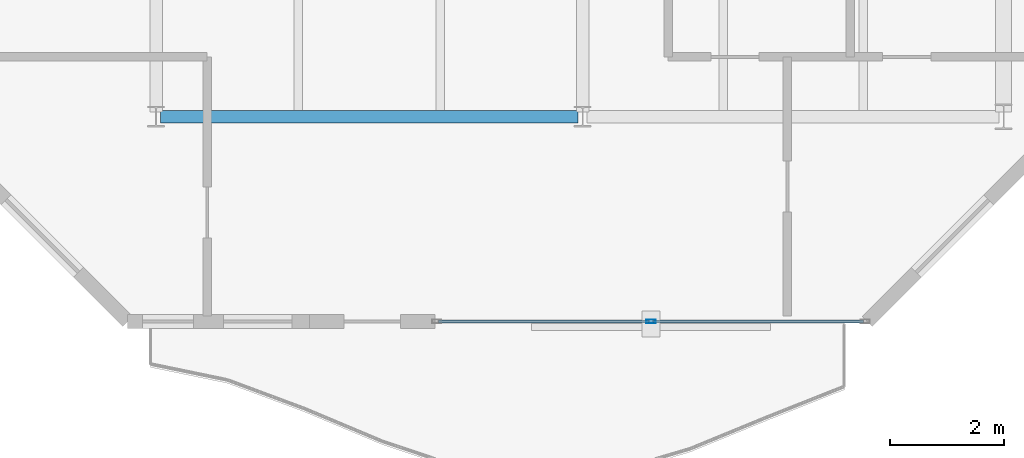
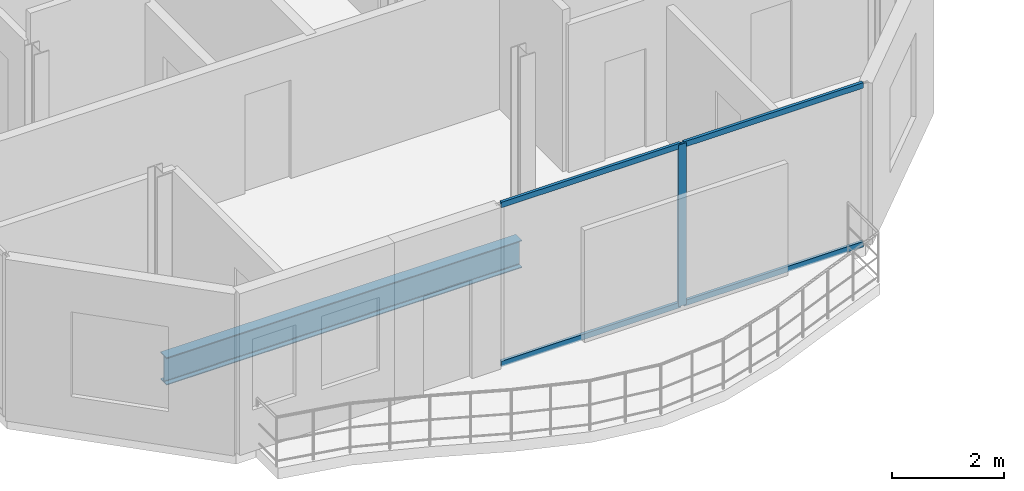
# One storey, part 4 of 22: 5 members, 1 beam, 1 element without a shape of its own.
"""IFC4 building model written with IfcOpenShell, lengths in metres."""

from ifc_helpers import new_model, si_unit, direction, frame, origin, origin_2d, place, context, subcontext, project, spatial, hollow_rectangle, i_section, extrude, material, layer, layer_set, material_profile, profile_set, type_object, element, aggregate, save


model = new_model("IFC4")

# Units and contexts
model_context = context("Model", 3, precision=1e-05, world=origin(), true_north=direction((0.0, 1.0)))
body_context = subcontext(model_context, "Body", "Model", "MODEL_VIEW")
ifc_project = project(units=[si_unit("LENGTHUNIT", "METRE"), si_unit("AREAUNIT", "SQUARE_METRE"), si_unit("VOLUMEUNIT", "CUBIC_METRE"), si_unit("PLANEANGLEUNIT", "RADIAN"), si_unit("MASSUNIT", "GRAM", prefix="KILO")], contexts=[model_context])

# Site, building, storey
site_placement = place(None, origin())
site = spatial("IfcSite", under=ifc_project, at=site_placement, CompositionType="ELEMENT")
building_placement = place(site_placement, origin())
building = spatial("IfcBuilding", under=site, at=building_placement, Name="Catumbela Crestline Tower", CompositionType="ELEMENT")
storey_placement = place(building_placement, frame((0.0, 0.0, 218.4)))
storey = spatial("IfcBuildingStorey", under=building, at=storey_placement, Name="L56", CompositionType="ELEMENT", Elevation=218.4)

# Beam
ifc_material_1 = material(Name="Structural steel S355J2", Category="steel")
ifc_material_profile_1 = material_profile(ifc_material_1, i_section(OverallWidth=0.22, OverallDepth=0.6, WebThickness=0.012, FlangeThickness=0.019, FilletRadius=0.024, at=origin_2d()), Name="IPE 600")
ifc_profile_set_1 = profile_set([ifc_material_profile_1], Name="Structural steel S355J2")
beam_type = type_object("IfcBeamType", Name="BG-IPE600", PredefinedType="BEAM", material=ifc_profile_set_1)
beam_placement = place(storey_placement, frame((8.58, 13.6, -0.56), z_axis=(1.0, 0.0, 0.0), x_axis=(0.0, 1.0, 0.0)))
element("IfcBeam", 1, at=beam_placement, inside=storey, type_object=beam_type, Name="L56 Beam BM-L56-WEW27", PredefinedType="BEAM", context=body_context, shape_type="SweptSolid", body=[
    extrude(i_section(OverallWidth=0.22, OverallDepth=0.6, WebThickness=0.012, FlangeThickness=0.019, FilletRadius=0.024, at=origin_2d()), origin(), (0.0, 0.0, 1.0), 7.34),
])

# Curtain wall, members
ifc_material_2 = material(Name="Aluminium alloy AW-6060-T66", Category="aluminium")
ifc_layer = layer(ifc_material_2, 0.18, Name="Aluminium alloy AW-6060-T66")
ifc_layer_set = layer_set([ifc_layer], Name="Aluminium alloy AW-6060-T66")
curtain_wall_type = type_object("IfcCurtainWallType", Name="CWU-Z4", PredefinedType="USERDEFINED", material=ifc_layer_set)
curtain_wall_placement = place(storey_placement, origin())
curtain_wall = element("IfcCurtainWall", 2, at=curtain_wall_placement, inside=storey, type_object=curtain_wall_type, Name="L56 Unitised Curtain Wall CW-L56-E0S2", ObjectType="UNITISED", PredefinedType="USERDEFINED")
ifc_material_profile_2 = material_profile(ifc_material_2, hollow_rectangle(XDim=0.06, YDim=0.16, WallThickness=0.004, at=origin_2d()), Name="ALU 160x60x4")
ifc_profile_set_2 = profile_set([ifc_material_profile_2], Name="Aluminium alloy AW-6060-T66")
member_type_1 = type_object("IfcMemberType", Name="MUL-160X60", PredefinedType="MULLION", material=ifc_profile_set_2)
member_1_placement = place(storey_placement, frame((17.2, 10.0, 0.0), z_axis=(0.0, 0.0, 1.0), x_axis=(0.0, 1.0, 0.0)))
member_1 = element("IfcMember", 3, at=member_1_placement, type_object=member_type_1, Name="CWU-Z4 mullion 2", PredefinedType="MULLION", context=body_context, shape_type="SweptSolid", body=[
    extrude(hollow_rectangle(XDim=0.06, YDim=0.16, WallThickness=0.004, at=origin_2d()), origin(), (0.0, 0.0, 1.0), 3.53),
])
ifc_material_profile_3 = material_profile(ifc_material_2, hollow_rectangle(XDim=0.06, YDim=0.12, WallThickness=0.0035, at=origin_2d()), Name="ALU 120x60x3.5")
ifc_profile_set_3 = profile_set([ifc_material_profile_3], Name="Aluminium alloy AW-6060-T66")
member_type_2 = type_object("IfcMemberType", Name="TRN-120X60", PredefinedType="USERDEFINED", material=ifc_profile_set_3)
member_2_placement = place(storey_placement, frame((13.465, 10.0, 0.03), z_axis=(1.0, 0.0, 0.0), x_axis=(0.0, 1.0, 0.0)))
member_2 = element("IfcMember", 4, at=member_2_placement, type_object=member_type_2, Name="CWU-Z4 transom 1.1", ObjectType="TRANSOM", PredefinedType="USERDEFINED", context=body_context, shape_type="SweptSolid", body=[
    extrude(hollow_rectangle(XDim=0.06, YDim=0.12, WallThickness=0.0035, at=origin_2d()), origin(), (0.0, 0.0, 1.0), 3.7025),
])
member_3_placement = place(storey_placement, frame((13.465, 10.0, 3.5), z_axis=(1.0, 0.0, 0.0), x_axis=(0.0, 1.0, 0.0)))
member_3 = element("IfcMember", 5, at=member_3_placement, type_object=member_type_2, Name="CWU-Z4 transom 1.2", ObjectType="TRANSOM", PredefinedType="USERDEFINED", context=body_context, shape_type="SweptSolid", body=[
    extrude(hollow_rectangle(XDim=0.06, YDim=0.12, WallThickness=0.0035, at=origin_2d()), origin(), (0.0, 0.0, 1.0), 3.7025),
])
member_4_placement = place(storey_placement, frame((17.2325, 10.0, 0.03), z_axis=(1.0, 0.0, 0.0), x_axis=(0.0, 1.0, 0.0)))
member_4 = element("IfcMember", 6, at=member_4_placement, type_object=member_type_2, Name="CWU-Z4 transom 2.1", ObjectType="TRANSOM", PredefinedType="USERDEFINED", context=body_context, shape_type="SweptSolid", body=[
    extrude(hollow_rectangle(XDim=0.06, YDim=0.12, WallThickness=0.0035, at=origin_2d()), origin(), (0.0, 0.0, 1.0), 3.7025),
])
member_5_placement = place(storey_placement, frame((17.2325, 10.0, 3.5), z_axis=(1.0, 0.0, 0.0), x_axis=(0.0, 1.0, 0.0)))
member_5 = element("IfcMember", 7, at=member_5_placement, type_object=member_type_2, Name="CWU-Z4 transom 2.2", ObjectType="TRANSOM", PredefinedType="USERDEFINED", context=body_context, shape_type="SweptSolid", body=[
    extrude(hollow_rectangle(XDim=0.06, YDim=0.12, WallThickness=0.0035, at=origin_2d()), origin(), (0.0, 0.0, 1.0), 3.7025),
])
aggregate(curtain_wall, [member_1, member_2, member_3, member_4, member_5])

save(model, "model.ifc")
